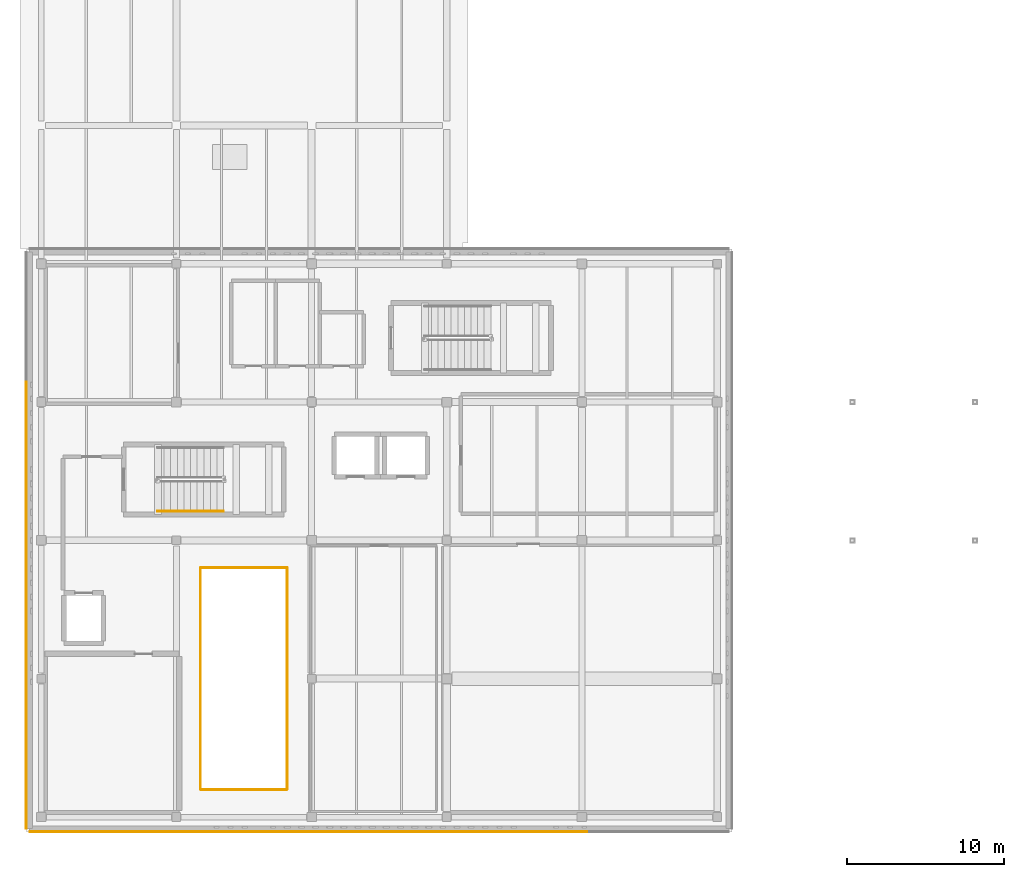
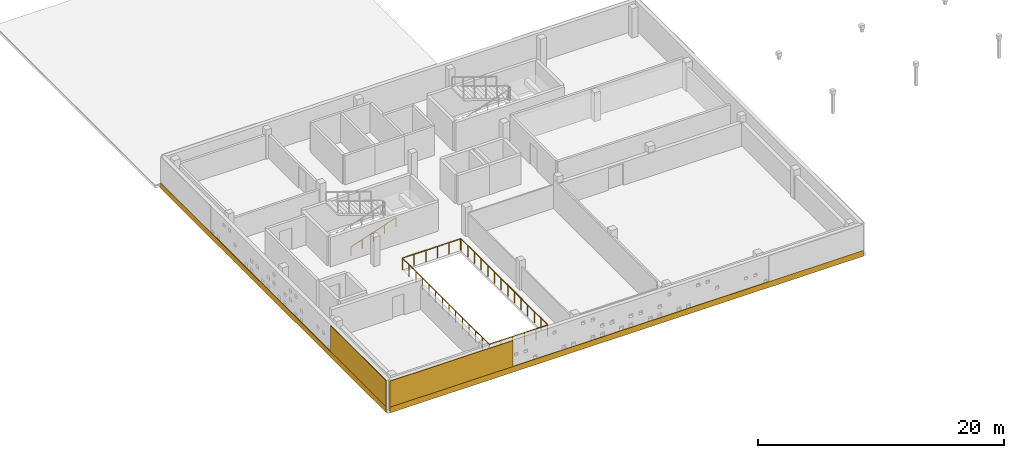
# One storey, part 15 of 17: 5 railings, 4 coverings.
"""IFC4 building model written with IfcOpenShell, lengths in metres."""

import ifcopenshell
import ifcopenshell.guid

model = None  # the IFC model being written
_history = None  # IfcOwnerHistory: only IFC2X3 demands one
_inside = {}  # id of a spatial element -> (the spatial element, [elements in it])
_under = {}  # id of a project, library or spatial element -> (it, [spatial elements below it])
_declared = {}  # id of a project -> (the project, [libraries it declares])
_typed = {}  # id of a type object -> (the type object, [elements of that type])
_made_of = {}  # id of a material, layer set ... -> (it, [elements and type objects made of it])


def new_model(schema):
    """Start an empty IFC model of exactly this schema.

    Asked for "IFC4X3", IfcOpenShell would pick the latest addendum, in which some entities
    have other attributes; the version numbers below select the first issue.
    IFC2X3 requires an IfcOwnerHistory on every rooted entity: one is made here for all.
    """
    global model, _history
    if schema == "IFC4X3":
        model = ifcopenshell.file(schema_version=(4, 3, 0, 0))
    else:
        model = ifcopenshell.file(schema=schema)
    _inside.clear()
    _under.clear()
    _declared.clear()
    _typed.clear()
    _made_of.clear()
    _history = None
    if model.schema == "IFC2X3":
        org = make("IfcOrganization", Name="unknown")
        user = make(
            "IfcPersonAndOrganization",
            ThePerson=make("IfcPerson", FamilyName="unknown"),
            TheOrganization=org,
        )
        app = make(
            "IfcApplication",
            ApplicationDeveloper=org,
            Version="unknown",
            ApplicationFullName="unknown",
            ApplicationIdentifier="unknown",
        )
        _history = make(
            "IfcOwnerHistory",
            OwningUser=user,
            OwningApplication=app,
            ChangeAction="ADDED",
            CreationDate=0,
        )
    return model


def make(cls, **values):
    """One entity of the class cls with the attributes given. An attribute that is None is left unset."""
    return model.create_entity(
        cls, **{name: value for name, value in values.items() if value is not None}
    )


def rooted(cls, **values):
    """An entity with a GlobalId (a new one), such as an element, a storey or a relation."""
    return make(cls, GlobalId=ifcopenshell.guid.new(), OwnerHistory=_history, **values)


def si_unit(unit_type, name, prefix=None):
    """IfcSIUnit, for example si_unit("LENGTHUNIT", "METRE", prefix="MILLI")."""
    return make("IfcSIUnit", UnitType=unit_type, Prefix=prefix, Name=name)


def assignment(units):
    """IfcUnitAssignment: the units of a project."""
    return None if units is None else make("IfcUnitAssignment", Units=units)


def point(xyz):
    """IfcCartesianPoint."""
    return None if xyz is None else make("IfcCartesianPoint", Coordinates=xyz)


def direction(xyz):
    """IfcDirection."""
    return None if xyz is None else make("IfcDirection", DirectionRatios=xyz)


def frame(location, z_axis=None, x_axis=None):
    """IfcAxis2Placement3D, a coordinate frame: its origin and axes. An axis left out is left unset."""
    return make(
        "IfcAxis2Placement3D",
        Location=point(location),
        Axis=direction(z_axis),
        RefDirection=direction(x_axis),
    )


def frame_2d(location, x_axis=None):
    """IfcAxis2Placement2D, a coordinate frame in the plane: its origin and x axis."""
    return make(
        "IfcAxis2Placement2D", Location=point(location), RefDirection=direction(x_axis)
    )


def origin():
    """The frame at (0, 0, 0) with its axes left unset."""
    return frame((0.0, 0.0, 0.0))


def origin_2d():
    """The frame at (0, 0) in the plane with its x axis left unset."""
    return frame_2d((0.0, 0.0))


def place(relative_to, where):
    """IfcLocalPlacement: puts the frame where relative to a parent placement (None: the world)."""
    return make(
        "IfcLocalPlacement", PlacementRelTo=relative_to, RelativePlacement=where
    )


def context(
    kind, dimensions, precision=None, world=None, true_north=None, identifier=None
):
    """IfcGeometricRepresentationContext, for example the 3D "Model" context."""
    return make(
        "IfcGeometricRepresentationContext",
        ContextIdentifier=identifier,
        ContextType=kind,
        CoordinateSpaceDimension=dimensions,
        Precision=precision,
        WorldCoordinateSystem=world,
        TrueNorth=true_north,
    )


def subcontext(parent, identifier, kind, view, scale=None):
    """IfcGeometricRepresentationSubContext, for example "Body" below "Model"."""
    return make(
        "IfcGeometricRepresentationSubContext",
        ContextIdentifier=identifier,
        ContextType=kind,
        ParentContext=parent,
        TargetScale=scale,
        TargetView=view,
    )


def project(units=None, contexts=None):
    """IfcProject with its units and contexts."""
    return rooted(
        "IfcProject",
        Name="project",
        RepresentationContexts=contexts,
        UnitsInContext=assignment(units),
    )


def spatial(cls, under=None, at=None, **own):
    """A site, building, storey or space (cls), placed at a placement, below another one or the project."""
    s = rooted(cls, ObjectPlacement=at, **own)
    if under is not None:
        _under.setdefault(under.id(), (under, []))[1].append(s)
    return s


def profile(cls, at=None, kind="AREA", **sizes):
    """A parametric profile (cls). Its sizes go by their IFC names, for example OverallWidth=200.0."""
    return make(cls, ProfileType=kind, Position=at, **sizes)


def rectangle(**sizes):
    """IfcRectangleProfileDef."""
    return profile("IfcRectangleProfileDef", **sizes)


def circle(**sizes):
    """IfcCircleProfileDef."""
    return profile("IfcCircleProfileDef", **sizes)


def extrude(swept, where, along, depth):
    """IfcExtrudedAreaSolid: the profile swept, set in the frame where, extruded along a direction by depth."""
    return make(
        "IfcExtrudedAreaSolid",
        SweptArea=swept,
        Position=where,
        ExtrudedDirection=direction(along),
        Depth=depth,
    )


def shape(context_of_items, identifier, shape_type, items):
    """IfcShapeRepresentation: the items that make up one representation, for example the "Body"."""
    return make(
        "IfcShapeRepresentation",
        ContextOfItems=context_of_items,
        RepresentationIdentifier=identifier,
        RepresentationType=shape_type,
        Items=items,
    )


def material(Name=None, Category=None):
    """IfcMaterial."""
    return make("IfcMaterial", Name=Name, Category=Category)


def layer(
    of_material, thickness, ventilated=None, Name=None, Category=None, Priority=None
):
    """IfcMaterialLayer: one layer of a wall or slab, of a material (None: an air gap)."""
    return make(
        "IfcMaterialLayer",
        Material=of_material,
        LayerThickness=thickness,
        IsVentilated=ventilated,
        Name=Name,
        Category=Category,
        Priority=Priority,
    )


def layer_set(layers, Name=None):
    """IfcMaterialLayerSet."""
    return make("IfcMaterialLayerSet", MaterialLayers=layers, LayerSetName=Name)


def made_of(thing, what):
    """Note that an element or type object is made of a material, layer set ...; save() writes the relation."""
    if what is not None:
        _made_of.setdefault(what.id(), (what, []))[1].append(thing)
    return thing


def type_object(cls, material=None, **own):
    """A type object (cls), such as IfcWallType, which elements share."""
    return made_of(rooted(cls, **own), material)


def element(
    cls,
    number,
    at=None,
    inside=None,
    cuts=None,
    type_object=None,
    material=None,
    context=None,
    identifier="Body",
    shape_type=None,
    held_by="IfcProductDefinitionShape",
    body=None,
    shapes=None,
    **own,
):
    """One element of the class cls, such as IfcWall. Its Tag is "e" and its number.

    at: its placement. inside: the storey or other place that contains it. cuts: it is an
    opening in that element (IfcRelVoidsElement). A single representation is given by context,
    identifier, shape_type and body (its items); several are given by shapes. held_by: the class
    of the entity that holds the representations. save() writes the other relations.
    """
    e = rooted(cls, Tag="e%d" % number, ObjectPlacement=at, **own)
    if body is not None:
        shapes = [shape(context, identifier, shape_type, body)]
    if shapes is not None:
        e.Representation = make(held_by, Representations=shapes)
    if inside is not None:
        _inside.setdefault(inside.id(), (inside, []))[1].append(e)
    if cuts is not None:
        rooted(
            "IfcRelVoidsElement", RelatingBuildingElement=cuts, RelatedOpeningElement=e
        )
    if type_object is not None:
        _typed.setdefault(type_object.id(), (type_object, []))[1].append(e)
    return made_of(e, material)


def aggregate(whole, parts):
    """IfcRelAggregates: a whole, such as a stair, and the parts it consists of."""
    return rooted("IfcRelAggregates", RelatingObject=whole, RelatedObjects=parts)


def save(model, path):
    """Write the relations noted so far, then the file.

    IfcRelAggregates (storeys below a building ...), IfcRelContainedInSpatialStructure (elements
    in a storey), IfcRelDefinesByType, IfcRelAssociatesMaterial and IfcRelDeclares: one each for
    every whole, place, type object, material and project.
    """
    for whole, parts in _under.values():
        aggregate(whole, parts)
    for where, things in _inside.values():
        rooted(
            "IfcRelContainedInSpatialStructure",
            RelatedElements=things,
            RelatingStructure=where,
        )
    for kind, things in _typed.values():
        rooted("IfcRelDefinesByType", RelatedObjects=things, RelatingType=kind)
    for what, things in _made_of.values():
        rooted("IfcRelAssociatesMaterial", RelatedObjects=things, RelatingMaterial=what)
    for by, libraries in _declared.values():
        rooted("IfcRelDeclares", RelatingContext=by, RelatedDefinitions=libraries)
    model.write(path)


model = new_model("IFC4")

# Units and contexts
model_context = context("Model", 3, precision=1e-05, world=origin(), true_north=direction((0.0, 1.0)))
body_context = subcontext(model_context, "Body", "Model", "MODEL_VIEW")
ifc_project = project(units=[si_unit("LENGTHUNIT", "METRE"), si_unit("AREAUNIT", "SQUARE_METRE"), si_unit("VOLUMEUNIT", "CUBIC_METRE"), si_unit("PLANEANGLEUNIT", "RADIAN"), si_unit("MASSUNIT", "GRAM", prefix="KILO")], contexts=[model_context])

# Site, building, storey
site_placement = place(None, origin())
site = spatial("IfcSite", under=ifc_project, at=site_placement, CompositionType="ELEMENT")
building_placement = place(site_placement, origin())
building = spatial("IfcBuilding", under=site, at=building_placement, Name="Varnakota Cinema and Media Centre", CompositionType="ELEMENT")
storey_placement = place(building_placement, frame((0.0, 0.0, 22.35009765625)))
storey = spatial("IfcBuildingStorey", under=building, at=storey_placement, Name="L06", CompositionType="ELEMENT", Elevation=22.35009765625)

# Coverings
ifc_material_1 = material(Name="Pale Tandur limestone cladding", Category="masonry")
ifc_layer_1 = layer(ifc_material_1, 0.06005859375)
ifc_layer_set_1 = layer_set([ifc_layer_1], Name="Pale Tandur limestone cladding")
covering_type = type_object("IfcCoveringType", Name="COV-TANDUR-ASHLAR-60", PredefinedType="CLADDING", material=ifc_layer_set_1)
covering_1_placement = place(storey_placement, frame((21.5, -0.945068359375, -0.240234375), z_axis=(0.0, 0.0, 1.0), x_axis=(-1.0, 0.0, 0.0)))
element("IfcCovering", 1, at=covering_1_placement, inside=storey, type_object=covering_type, Name="L06 V4 pale Tandur stone spandrel ashlar V4-S", PredefinedType="CLADDING", context=body_context, shape_type="SweptSolid", body=[
    extrude(rectangle(XDim=44.47998046875, YDim=0.06005859375, at=origin_2d()), origin(), (0.0, 0.0, 1.0), 0.570068359375),
])
covering_2_placement = place(storey_placement, frame((5.044921875, -0.945068359375, 0.329833984375), z_axis=(0.0, 0.0, 1.0), x_axis=(-1.0, 0.0, 0.0)))
element("IfcCovering", 2, at=covering_2_placement, inside=storey, type_object=covering_type, Name="L06 V4 pale Tandur stone right corner ashlar V4-S", PredefinedType="CLADDING", context=body_context, shape_type="SweptSolid", body=[
    extrude(rectangle(XDim=11.570068359375, YDim=0.06005859375, at=origin_2d()), origin(), (0.0, 0.0, 1.0), 2.580078125),
])
covering_3_placement = place(storey_placement, frame((-0.945068359375, 17.60009765625, -0.240234375), z_axis=(0.0, 0.0, 1.0), x_axis=(0.0, 1.0, 0.0)))
element("IfcCovering", 3, at=covering_3_placement, inside=storey, type_object=covering_type, Name="L06 V4 pale Tandur stone spandrel ashlar V4-W", PredefinedType="CLADDING", context=body_context, shape_type="SweptSolid", body=[
    extrude(rectangle(XDim=36.679931640625, YDim=0.06005859375, at=origin_2d()), origin(), (0.0, 0.0, 1.0), 0.570068359375),
])
covering_4_placement = place(storey_placement, frame((-0.945068359375, 3.77001953125, 0.329833984375), z_axis=(0.0, 0.0, 1.0), x_axis=(0.0, 1.0, 0.0)))
element("IfcCovering", 4, at=covering_4_placement, inside=storey, type_object=covering_type, Name="L06 V4 pale Tandur stone left corner ashlar V4-W", PredefinedType="CLADDING", context=body_context, shape_type="SweptSolid", body=[
    extrude(rectangle(XDim=9.02001953125, YDim=0.06005859375, at=origin_2d()), origin(), (0.0, 0.0, 1.0), 2.580078125),
])

# Railings
ifc_material_2 = material(Name="Anodised golden-bronze steel Grade 350 (E350)", Category="steel")
ifc_layer_2 = layer(ifc_material_2, 0.050048828125)
ifc_layer_set_2 = layer_set([ifc_layer_2], Name="Anodised golden-bronze steel Grade 350 (E350)")
railing_type_1 = type_object("IfcRailingType", Name="RAIL-GUARD-1150", PredefinedType="BALUSTRADE", material=ifc_layer_set_2)
railing_1_placement = place(storey_placement, frame((10.169921875, 1.739990234375, 0.0)))
element("IfcRailing", 5, at=railing_1_placement, inside=storey, type_object=railing_type_1, Name="L06 guard balustrade GRD-VOID-L06-1-1", PredefinedType="BALUSTRADE", context=body_context, shape_type="SweptSolid", body=[
    extrude(circle(Radius=0.02392578125, at=origin_2d()), frame((0.0, 0.0, 1.1259765625), z_axis=(1.0, 0.0, 0.0), x_axis=(0.0, 1.0, 0.0)), (0.0, 0.0, 1.0), 5.4599609375),
    extrude(circle(Radius=0.02099609375, at=origin_2d()), origin(), (0.0, 0.0, 1.0), 1.101806640625),
    extrude(circle(Radius=0.02099609375, at=origin_2d()), frame((1.092041015625, 0.0, 0.0)), (0.0, 0.0, 1.0), 1.101806640625),
    extrude(circle(Radius=0.02099609375, at=origin_2d()), frame((2.18408203125, 0.0, 0.0)), (0.0, 0.0, 1.0), 1.101806640625),
    extrude(circle(Radius=0.02099609375, at=origin_2d()), frame((3.27587890625, 0.0, 0.0)), (0.0, 0.0, 1.0), 1.101806640625),
    extrude(circle(Radius=0.02099609375, at=origin_2d()), frame((4.367919921875, 0.0, 0.0)), (0.0, 0.0, 1.0), 1.101806640625),
    extrude(circle(Radius=0.02099609375, at=origin_2d()), frame((5.4599609375, 0.0, 0.0)), (0.0, 0.0, 1.0), 1.101806640625),
])
railing_2_placement = place(storey_placement, frame((15.659912109375, 1.77001953125, 0.0)))
element("IfcRailing", 6, at=railing_2_placement, inside=storey, type_object=railing_type_1, Name="L06 guard balustrade GRD-VOID-L06-1-2", PredefinedType="BALUSTRADE", context=body_context, shape_type="SweptSolid", body=[
    extrude(circle(Radius=0.02392578125, at=origin_2d()), frame((0.0, 0.0, 1.1259765625), z_axis=(0.0, 1.0, 0.0), x_axis=(-1.0, 0.0, 0.0)), (0.0, 0.0, 1.0), 14.06005859375),
    extrude(circle(Radius=0.02099609375, at=origin_2d()), origin(), (0.0, 0.0, 1.0), 1.101806640625),
    extrude(circle(Radius=0.02099609375, at=origin_2d()), frame((0.0, 1.08154296875, 0.0)), (0.0, 0.0, 1.0), 1.101806640625),
    extrude(circle(Radius=0.02099609375, at=origin_2d()), frame((0.0, 2.1630859375, 0.0)), (0.0, 0.0, 1.0), 1.101806640625),
    extrude(circle(Radius=0.02099609375, at=origin_2d()), frame((0.0, 3.24462890625, 0.0)), (0.0, 0.0, 1.0), 1.101806640625),
    extrude(circle(Radius=0.02099609375, at=origin_2d()), frame((0.0, 4.326171875, 0.0)), (0.0, 0.0, 1.0), 1.101806640625),
    extrude(circle(Radius=0.02099609375, at=origin_2d()), frame((0.0, 5.40771484375, 0.0)), (0.0, 0.0, 1.0), 1.101806640625),
    extrude(circle(Radius=0.02099609375, at=origin_2d()), frame((0.0, 6.4892578125, 0.0)), (0.0, 0.0, 1.0), 1.101806640625),
    extrude(circle(Radius=0.02099609375, at=origin_2d()), frame((0.0, 7.57080078125, 0.0)), (0.0, 0.0, 1.0), 1.101806640625),
    extrude(circle(Radius=0.02099609375, at=origin_2d()), frame((0.0, 8.65234375, 0.0)), (0.0, 0.0, 1.0), 1.101806640625),
    extrude(circle(Radius=0.02099609375, at=origin_2d()), frame((0.0, 9.73388671875, 0.0)), (0.0, 0.0, 1.0), 1.101806640625),
    extrude(circle(Radius=0.02099609375, at=origin_2d()), frame((0.0, 10.8154296875, 0.0)), (0.0, 0.0, 1.0), 1.101806640625),
    extrude(circle(Radius=0.02099609375, at=origin_2d()), frame((0.0, 11.89697265625, 0.0)), (0.0, 0.0, 1.0), 1.101806640625),
    extrude(circle(Radius=0.02099609375, at=origin_2d()), frame((0.0, 12.978515625, 0.0)), (0.0, 0.0, 1.0), 1.101806640625),
    extrude(circle(Radius=0.02099609375, at=origin_2d()), frame((0.0, 14.06005859375, 0.0)), (0.0, 0.0, 1.0), 1.101806640625),
])
railing_3_placement = place(storey_placement, frame((15.6298828125, 15.860107421875, 0.0)))
element("IfcRailing", 7, at=railing_3_placement, inside=storey, type_object=railing_type_1, Name="L06 guard balustrade GRD-VOID-L06-1-3", PredefinedType="BALUSTRADE", context=body_context, shape_type="SweptSolid", body=[
    extrude(circle(Radius=0.02392578125, at=origin_2d()), frame((0.0, 0.0, 1.1259765625), z_axis=(-1.0, 0.0, 0.0), x_axis=(0.0, -1.0, 0.0)), (0.0, 0.0, 1.0), 5.4599609375),
    extrude(circle(Radius=0.02099609375, at=origin_2d()), origin(), (0.0, 0.0, 1.0), 1.101806640625),
    extrude(circle(Radius=0.02099609375, at=origin_2d()), frame((-1.092041015625, 0.0, 0.0)), (0.0, 0.0, 1.0), 1.101806640625),
    extrude(circle(Radius=0.02099609375, at=origin_2d()), frame((-2.18408203125, 0.0, 0.0)), (0.0, 0.0, 1.0), 1.101806640625),
    extrude(circle(Radius=0.02099609375, at=origin_2d()), frame((-3.27587890625, 0.0, 0.0)), (0.0, 0.0, 1.0), 1.101806640625),
    extrude(circle(Radius=0.02099609375, at=origin_2d()), frame((-4.367919921875, 0.0, 0.0)), (0.0, 0.0, 1.0), 1.101806640625),
    extrude(circle(Radius=0.02099609375, at=origin_2d()), frame((-5.4599609375, 0.0, 0.0)), (0.0, 0.0, 1.0), 1.101806640625),
])
railing_4_placement = place(storey_placement, frame((10.139892578125, 15.830078125, 0.0)))
element("IfcRailing", 8, at=railing_4_placement, inside=storey, type_object=railing_type_1, Name="L06 guard balustrade GRD-VOID-L06-1-4", PredefinedType="BALUSTRADE", context=body_context, shape_type="SweptSolid", body=[
    extrude(circle(Radius=0.02392578125, at=origin_2d()), frame((0.0, 0.0, 1.1259765625), z_axis=(0.0, -1.0, 0.0), x_axis=(1.0, 0.0, 0.0)), (0.0, 0.0, 1.0), 14.06005859375),
    extrude(circle(Radius=0.02099609375, at=origin_2d()), origin(), (0.0, 0.0, 1.0), 1.101806640625),
    extrude(circle(Radius=0.02099609375, at=origin_2d()), frame((0.0, -1.08154296875, 0.0)), (0.0, 0.0, 1.0), 1.101806640625),
    extrude(circle(Radius=0.02099609375, at=origin_2d()), frame((0.0, -2.1630859375, 0.0)), (0.0, 0.0, 1.0), 1.101806640625),
    extrude(circle(Radius=0.02099609375, at=origin_2d()), frame((0.0, -3.24462890625, 0.0)), (0.0, 0.0, 1.0), 1.101806640625),
    extrude(circle(Radius=0.02099609375, at=origin_2d()), frame((0.0, -4.326171875, 0.0)), (0.0, 0.0, 1.0), 1.101806640625),
    extrude(circle(Radius=0.02099609375, at=origin_2d()), frame((0.0, -5.40771484375, 0.0)), (0.0, 0.0, 1.0), 1.101806640625),
    extrude(circle(Radius=0.02099609375, at=origin_2d()), frame((0.0, -6.4892578125, 0.0)), (0.0, 0.0, 1.0), 1.101806640625),
    extrude(circle(Radius=0.02099609375, at=origin_2d()), frame((0.0, -7.57080078125, 0.0)), (0.0, 0.0, 1.0), 1.101806640625),
    extrude(circle(Radius=0.02099609375, at=origin_2d()), frame((0.0, -8.65234375, 0.0)), (0.0, 0.0, 1.0), 1.101806640625),
    extrude(circle(Radius=0.02099609375, at=origin_2d()), frame((0.0, -9.73388671875, 0.0)), (0.0, 0.0, 1.0), 1.101806640625),
    extrude(circle(Radius=0.02099609375, at=origin_2d()), frame((0.0, -10.8154296875, 0.0)), (0.0, 0.0, 1.0), 1.101806640625),
    extrude(circle(Radius=0.02099609375, at=origin_2d()), frame((0.0, -11.89697265625, 0.0)), (0.0, 0.0, 1.0), 1.101806640625),
    extrude(circle(Radius=0.02099609375, at=origin_2d()), frame((0.0, -12.978515625, 0.0)), (0.0, 0.0, 1.0), 1.101806640625),
    extrude(circle(Radius=0.02099609375, at=origin_2d()), frame((0.0, -14.06005859375, 0.0)), (0.0, 0.0, 1.0), 1.101806640625),
])
ifc_material_3 = material(Name="Structural steel Grade 350 (E350)", Category="steel")
ifc_layer_3 = layer(ifc_material_3, 0.048095703125)
ifc_layer_set_3 = layer_set([ifc_layer_3], Name="Structural steel Grade 350 (E350)")
railing_type_2 = type_object("IfcRailingType", Name="RAIL-STAIR-HAND-900", PredefinedType="HANDRAIL", material=ifc_layer_set_3)
railing_5_placement = place(storey_placement, frame((7.39990234375, 19.449951171875, 0.14306640625)))
element("IfcRailing", 9, at=railing_5_placement, inside=storey, type_object=railing_type_2, Name="L06 ST-01 stair handrail 1", PredefinedType="HANDRAIL", context=body_context, shape_type="SweptSolid", body=[
    extrude(circle(Radius=0.02392578125, at=origin_2d()), frame((0.0, 0.0, 0.8759765625), z_axis=(0.946510188179, 0.0, 0.322673927788), x_axis=(0.0, 1.0, 0.0)), (0.0, 0.0, 1.0), 4.4375),
    extrude(circle(Radius=0.02099609375, at=origin_2d()), origin(), (0.0, 0.0, 1.0), 0.851806640625),
    extrude(circle(Radius=0.02099609375, at=origin_2d()), frame((1.050048828125, 0.0, 0.35791015625)), (0.0, 0.0, 1.0), 0.851806640625),
    extrude(circle(Radius=0.02099609375, at=origin_2d()), frame((2.10009765625, 0.0, 0.7158203125)), (0.0, 0.0, 1.0), 0.851806640625),
    extrude(circle(Radius=0.02099609375, at=origin_2d()), frame((3.150146484375, 0.0, 1.073974609375)), (0.0, 0.0, 1.0), 0.851806640625),
    extrude(circle(Radius=0.02099609375, at=origin_2d()), frame((4.2001953125, 0.0, 1.431884765625)), (0.0, 0.0, 1.0), 0.851806640625),
])

save(model, "model.ifc")
